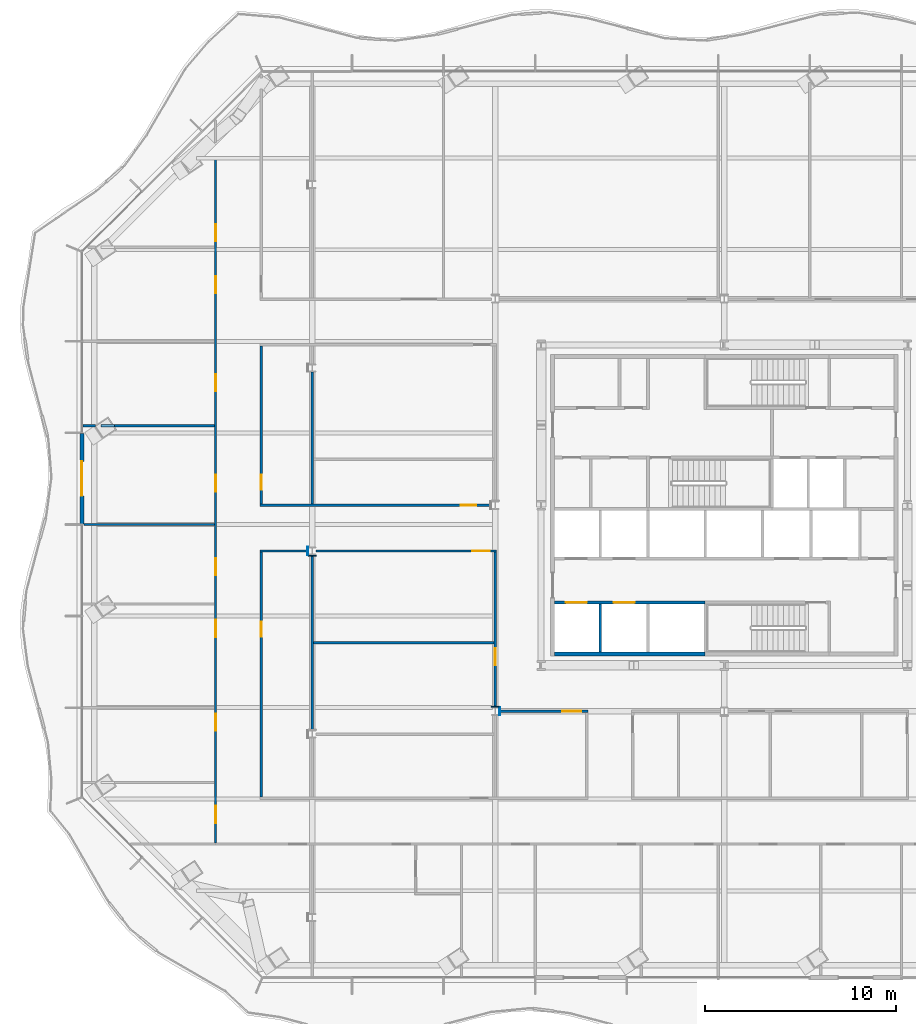
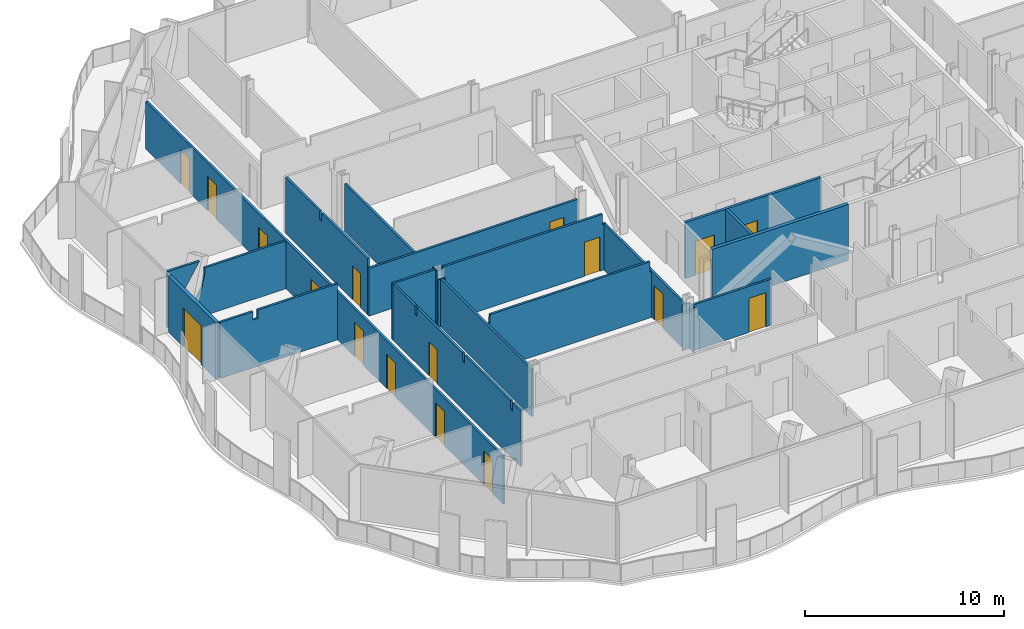
# One storey, part 7 of 19: 22 walls, 17 doors, 17 openings.
"""IFC4 building model written with IfcOpenShell, lengths in metres."""

from ifc_helpers import new_model, si_unit, direction, frame, frame_2d, origin, place, context, subcontext, project, spatial, polyline, rectangle, outline, extrude, material, layer, layer_set, type_object, element, fill, save


model = new_model("IFC4")

# Units and contexts
model_context = context("Model", 3, precision=1e-05, world=origin(), true_north=direction((0.0, 1.0)))
body_context = subcontext(model_context, "Body", "Model", "MODEL_VIEW")
ifc_project = project(units=[si_unit("LENGTHUNIT", "METRE"), si_unit("AREAUNIT", "SQUARE_METRE"), si_unit("VOLUMEUNIT", "CUBIC_METRE"), si_unit("PLANEANGLEUNIT", "RADIAN"), si_unit("MASSUNIT", "GRAM", prefix="KILO")], contexts=[model_context])

# Site, building, storey
site_placement = place(None, origin())
site = spatial("IfcSite", under=ifc_project, at=site_placement, CompositionType="ELEMENT")
building_placement = place(site_placement, origin())
building = spatial("IfcBuilding", under=site, at=building_placement, Name="Cairn Pilgrim Tower", CompositionType="ELEMENT")
storey_placement = place(building_placement, frame((0.0, 0.0, 97.800048828125)))
storey = spatial("IfcBuildingStorey", under=building, at=storey_placement, Name="L23", CompositionType="ELEMENT", Elevation=97.800048828125)

# Wall, opening, door
ifc_material_1 = material(Name="Bronze anodised aluminium insulated sandwich panel with mineral wool fill", Category="aluminium")
ifc_layer_1 = layer(ifc_material_1, 0.199951171875)
ifc_layer_set_1 = layer_set([ifc_layer_1], Name="BRONZE INFILL FRAME WALL 200")
wall_type_1 = type_object("IfcWallType", Name="BRONZE INFILL FRAME WALL 200", PredefinedType="NOTDEFINED", material=ifc_layer_set_1)
wall_1_placement = place(storey_placement, frame((-26.462890625, 6.161376953125, 0.0), z_axis=(0.0, 0.0, 1.0), x_axis=(0.0, -1.0, 0.0)))
wall_1 = element("IfcWall", 1, at=wall_1_placement, inside=storey, type_object=wall_type_1, Name="Bronze infill frame wall IW-W3", PredefinedType="NOTDEFINED", context=body_context, shape_type="SweptSolid", body=[
    extrude(rectangle(XDim=4.739990234375, YDim=0.199951171875, at=frame_2d((2.3701171875, 0.0))), origin(), (0.0, 0.0, 1.0), 3.449951171875),
])
opening_1_placement = place(wall_1_placement, frame((1.470458984375, 0.0, 0.0)))
opening_1 = element("IfcOpeningElement", 2, at=opening_1_placement, cuts=wall_1, Name="Opening 2313B", PredefinedType="OPENING", context=body_context, shape_type="SweptSolid", body=[
    extrude(rectangle(XDim=1.800048828125, YDim=2.39990234375, at=frame_2d((0.89990234375, 1.199951171875))), frame((0.0, 0.10986328125, 0.0), z_axis=(0.0, -1.0, 0.0), x_axis=(1.0, 0.0, 0.0)), (0.0, 0.0, 1.0), 0.219970703125),
])
ifc_material_2 = material(Name="Bronze anodised aluminium frame with tinted low-E glass", Category="aluminium")
door_type_1 = type_object("IfcDoorType", Name="BALCONY SLIDING DOOR 1800x2400", OperationType="DOUBLE_DOOR_SLIDING", PredefinedType="DOOR", material=ifc_material_2)
door_1_placement = place(opening_1_placement, origin())
door_1 = element("IfcDoor", 3, at=door_1_placement, inside=storey, type_object=door_type_1, Name="Balcony sliding door 2313B", OperationType="SINGLE_SWING_LEFT", OverallHeight=2.39990234375, OverallWidth=1.800048828125, PredefinedType="DOOR", context=body_context, shape_type="SweptSolid", body=[
    extrude(rectangle(XDim=1.800048828125, YDim=2.39990234375, at=frame_2d((0.89990234375, 1.199951171875))), frame((0.0, 0.02490234375, 0.0), z_axis=(0.0, -1.0, 0.0), x_axis=(1.0, 0.0, 0.0)), (0.0, 0.0, 1.0), 0.050048828125),
])
fill(opening_1, door_1)

# Wall
ifc_material_3 = material(Name="Concrete C32/40", Category="concrete")
ifc_layer_2 = layer(ifc_material_3, 0.199951171875)
ifc_layer_set_2 = layer_set([ifc_layer_2], Name="CORE OUTER WALL 200 EI 120")
wall_type_2 = type_object("IfcWallType", Name="CORE OUTER WALL 200 EI 120", PredefinedType="SOLIDWALL", material=ifc_layer_set_2)
wall_2_placement = place(storey_placement, frame((-1.699951171875, -5.39990234375, 0.0), z_axis=(0.0, 0.0, 1.0), x_axis=(1.0, 0.0, 0.0)))
element("IfcWall", 4, at=wall_2_placement, inside=storey, type_object=wall_type_2, Name="CW:L23:H01-1", PredefinedType="SOLIDWALL", context=body_context, shape_type="SweptSolid", body=[
    extrude(rectangle(XDim=7.89990234375, YDim=0.199951171875, at=frame_2d((3.949951171875, 0.0))), origin(), (0.0, 0.0, 1.0), 3.449951171875),
])

# Wall, openings, doors
ifc_layer_3 = layer(ifc_material_3, 0.14990234375)
ifc_layer_set_3 = layer_set([ifc_layer_3], Name="CORE SHAFT WALL 150 EI 120")
wall_type_3 = type_object("IfcWallType", Name="CORE SHAFT WALL 150 EI 120", PredefinedType="SOLIDWALL", material=ifc_layer_set_3)
wall_3_placement = place(storey_placement, frame((-1.699951171875, -2.699951171875, 0.0), z_axis=(0.0, 0.0, 1.0), x_axis=(1.0, 0.0, 0.0)))
wall_3 = element("IfcWall", 5, at=wall_3_placement, inside=storey, type_object=wall_type_3, Name="CW:L23:H02-1", PredefinedType="SOLIDWALL", context=body_context, shape_type="SweptSolid", body=[
    extrude(rectangle(XDim=7.89990234375, YDim=0.14990234375, at=frame_2d((3.949951171875, 0.0))), origin(), (0.0, 0.0, 1.0), 3.449951171875),
])
opening_2_placement = place(wall_3_placement, frame((0.60009765625, 0.0, 0.0)))
opening_2 = element("IfcOpeningElement", 6, at=opening_2_placement, cuts=wall_3, Name="Opening LD-LR1", PredefinedType="OPENING", context=body_context, shape_type="SweptSolid", body=[
    extrude(rectangle(XDim=1.10009765625, YDim=2.10009765625, at=frame_2d((0.550048828125, 1.050048828125))), frame((0.0, 0.0849609375, 0.0), z_axis=(0.0, -1.0, 0.0), x_axis=(1.0, 0.0, 0.0)), (0.0, 0.0, 1.0), 0.169921875),
])
opening_3_placement = place(wall_3_placement, frame((3.10009765625, 0.0, 0.0)))
opening_3 = element("IfcOpeningElement", 7, at=opening_3_placement, cuts=wall_3, Name="Opening LD-LR2", PredefinedType="OPENING", context=body_context, shape_type="SweptSolid", body=[
    extrude(rectangle(XDim=1.10009765625, YDim=2.10009765625, at=frame_2d((0.550048828125, 1.050048828125))), frame((0.0, 0.0849609375, 0.0), z_axis=(0.0, -1.0, 0.0), x_axis=(1.0, 0.0, 0.0)), (0.0, 0.0, 1.0), 0.169921875),
])
ifc_material_4 = material(Name="Stainless steel", Category="steel")
door_type_2 = type_object("IfcDoorType", Name="LIFT LANDING DOOR 1100x2100", OperationType="DOUBLE_DOOR_SLIDING", PredefinedType="DOOR", material=ifc_material_4)
door_2_placement = place(opening_2_placement, origin())
door_2 = element("IfcDoor", 8, at=door_2_placement, inside=storey, type_object=door_type_2, Name="LANDING DOOR LR1", OperationType="DOUBLE_DOOR_SLIDING", OverallHeight=2.10009765625, OverallWidth=1.10009765625, PredefinedType="DOOR", context=body_context, shape_type="SweptSolid", body=[
    extrude(rectangle(XDim=1.10009765625, YDim=2.10009765625, at=frame_2d((0.550048828125, 1.050048828125))), frame((0.0, 0.02490234375, 0.0), z_axis=(0.0, -1.0, 0.0), x_axis=(1.0, 0.0, 0.0)), (0.0, 0.0, 1.0), 0.050048828125),
])
fill(opening_2, door_2)
door_3_placement = place(opening_3_placement, origin())
door_3 = element("IfcDoor", 9, at=door_3_placement, inside=storey, type_object=door_type_2, Name="LANDING DOOR LR2", OperationType="DOUBLE_DOOR_SLIDING", OverallHeight=2.10009765625, OverallWidth=1.10009765625, PredefinedType="DOOR", context=body_context, shape_type="SweptSolid", body=[
    extrude(rectangle(XDim=1.10009765625, YDim=2.10009765625, at=frame_2d((0.550048828125, 1.050048828125))), frame((0.0, 0.02490234375, 0.0), z_axis=(0.0, -1.0, 0.0), x_axis=(1.0, 0.0, 0.0)), (0.0, 0.0, 1.0), 0.050048828125),
])
fill(opening_3, door_3)

# Wall
wall_4_placement = place(storey_placement, frame((0.699951171875, -5.300048828125, 0.0), z_axis=(0.0, 0.0, 1.0), x_axis=(0.0, 1.0, 0.0)))
element("IfcWall", 10, at=wall_4_placement, inside=storey, type_object=wall_type_3, Name="CW:L23:V14", PredefinedType="SOLIDWALL", context=body_context, shape_type="SweptSolid", body=[
    extrude(rectangle(XDim=2.525146484375, YDim=0.14990234375, at=frame_2d((1.2626953125, 0.0))), origin(), (0.0, 0.0, 1.0), 3.449951171875),
])

# Wall, openings, doors
ifc_material_5 = material(Name="Gypsum partition")
ifc_layer_4 = layer(ifc_material_5, 0.125)
ifc_layer_set_4 = layer_set([ifc_layer_4], Name="PARTITION 125 DRYWALL EI 60")
wall_type_4 = type_object("IfcWallType", Name="PARTITION 125 DRYWALL EI 60", PredefinedType="PARTITIONING", material=ifc_layer_set_4)
wall_5_placement = place(storey_placement, frame((-19.462890625, -15.29638671875, 0.0), z_axis=(0.0, 0.0, 1.0), x_axis=(0.0, 1.0, 0.0)))
wall_5 = element("IfcWall", 11, at=wall_5_placement, inside=storey, type_object=wall_type_4, Name="PARTITION W018", PredefinedType="PARTITIONING", context=body_context, shape_type="SweptSolid", body=[
    extrude(outline(polyline([(0.0, 0.0), (35.93798828125, 0.0), (35.93798828125, 0.862548828125), (35.93798828125, 1.724853515625), (35.93798828125, 2.58740234375), (35.93798828125, 2.929931640625), (0.0, 2.929931640625), (0.0, 2.58740234375), (0.0, 1.724853515625), (0.0, 0.862548828125), (0.0, 0.0)])), frame((0.0, 0.0625, 0.0), z_axis=(0.0, -1.0, 0.0), x_axis=(1.0, 0.0, 0.0)), (0.0, 0.0, 1.0), 0.125),
])
opening_4_placement = place(wall_5_placement, frame((1.03759765625, 0.0, 0.0)))
opening_4 = element("IfcOpeningElement", 12, at=opening_4_placement, cuts=wall_5, Name="Opening 2309", PredefinedType="OPENING", context=body_context, shape_type="SweptSolid", body=[
    extrude(rectangle(XDim=0.89990234375, YDim=2.10009765625, at=frame_2d((0.449951171875, 1.050048828125))), frame((0.0, 0.072509765625, 0.0), z_axis=(0.0, -1.0, 0.0), x_axis=(1.0, 0.0, 0.0)), (0.0, 0.0, 1.0), 0.14501953125),
])
opening_5_placement = place(wall_5_placement, frame((5.864501953125, 0.0, 0.0)))
opening_5 = element("IfcOpeningElement", 13, at=opening_5_placement, cuts=wall_5, Name="Opening 2310", PredefinedType="OPENING", context=body_context, shape_type="SweptSolid", body=[
    extrude(rectangle(XDim=0.89990234375, YDim=2.10009765625, at=frame_2d((0.449951171875, 1.050048828125))), frame((0.0, 0.072509765625, 0.0), z_axis=(0.0, -1.0, 0.0), x_axis=(1.0, 0.0, 0.0)), (0.0, 0.0, 1.0), 0.14501953125),
])
opening_6_placement = place(wall_5_placement, frame((10.78759765625, 0.0, 0.0)))
opening_6 = element("IfcOpeningElement", 14, at=opening_6_placement, cuts=wall_5, Name="Opening 2311", PredefinedType="OPENING", context=body_context, shape_type="SweptSolid", body=[
    extrude(rectangle(XDim=0.89990234375, YDim=2.10009765625, at=frame_2d((0.449951171875, 1.050048828125))), frame((0.0, 0.072509765625, 0.0), z_axis=(0.0, -1.0, 0.0), x_axis=(1.0, 0.0, 0.0)), (0.0, 0.0, 1.0), 0.14501953125),
])
opening_7_placement = place(wall_5_placement, frame((14.0166015625, 0.0, 0.0)))
opening_7 = element("IfcOpeningElement", 15, at=opening_7_placement, cuts=wall_5, Name="Opening 2312", PredefinedType="OPENING", context=body_context, shape_type="SweptSolid", body=[
    extrude(rectangle(XDim=0.89990234375, YDim=2.10009765625, at=frame_2d((0.449951171875, 1.050048828125))), frame((0.0, 0.072509765625, 0.0), z_axis=(0.0, -1.0, 0.0), x_axis=(1.0, 0.0, 0.0)), (0.0, 0.0, 1.0), 0.14501953125),
])
opening_8_placement = place(wall_5_placement, frame((18.396484375, 0.0, 0.0)))
opening_8 = element("IfcOpeningElement", 16, at=opening_8_placement, cuts=wall_5, Name="Opening 2313", PredefinedType="OPENING", context=body_context, shape_type="SweptSolid", body=[
    extrude(rectangle(XDim=0.89990234375, YDim=2.10009765625, at=frame_2d((0.449951171875, 1.050048828125))), frame((0.0, 0.072509765625, 0.0), z_axis=(0.0, -1.0, 0.0), x_axis=(1.0, 0.0, 0.0)), (0.0, 0.0, 1.0), 0.14501953125),
])
opening_9_placement = place(wall_5_placement, frame((23.66748046875, 0.0, 0.0)))
opening_9 = element("IfcOpeningElement", 17, at=opening_9_placement, cuts=wall_5, Name="Opening 2314", PredefinedType="OPENING", context=body_context, shape_type="SweptSolid", body=[
    extrude(rectangle(XDim=0.89990234375, YDim=2.10009765625, at=frame_2d((0.449951171875, 1.050048828125))), frame((0.0, 0.072509765625, 0.0), z_axis=(0.0, -1.0, 0.0), x_axis=(1.0, 0.0, 0.0)), (0.0, 0.0, 1.0), 0.14501953125),
])
opening_10_placement = place(wall_5_placement, frame((28.79638671875, 0.0, 0.0)))
opening_10 = element("IfcOpeningElement", 18, at=opening_10_placement, cuts=wall_5, Name="Opening 2315", PredefinedType="OPENING", context=body_context, shape_type="SweptSolid", body=[
    extrude(rectangle(XDim=0.89990234375, YDim=2.10009765625, at=frame_2d((0.449951171875, 1.050048828125))), frame((0.0, 0.072509765625, 0.0), z_axis=(0.0, -1.0, 0.0), x_axis=(1.0, 0.0, 0.0)), (0.0, 0.0, 1.0), 0.14501953125),
])
opening_11_placement = place(wall_5_placement, frame((31.51953125, 0.0, 0.0)))
opening_11 = element("IfcOpeningElement", 19, at=opening_11_placement, cuts=wall_5, Name="Opening 2316", PredefinedType="OPENING", context=body_context, shape_type="SweptSolid", body=[
    extrude(rectangle(XDim=0.89990234375, YDim=2.10009765625, at=frame_2d((0.449951171875, 1.050048828125))), frame((0.0, 0.072509765625, 0.0), z_axis=(0.0, -1.0, 0.0), x_axis=(1.0, 0.0, 0.0)), (0.0, 0.0, 1.0), 0.14501953125),
])
ifc_material_6 = material(Name="Steel-faced fire door leaf", Category="steel")
door_type_3 = type_object("IfcDoorType", Name="FIRE DOOR 900x2100 FD30S", OperationType="NOTDEFINED", PredefinedType="DOOR", material=ifc_material_6)
door_4_placement = place(opening_4_placement, origin())
door_4 = element("IfcDoor", 20, at=door_4_placement, inside=storey, type_object=door_type_3, Name="DOOR 2309", OperationType="SINGLE_SWING_LEFT", OverallHeight=2.10009765625, OverallWidth=0.89990234375, PredefinedType="DOOR", context=body_context, shape_type="SweptSolid", body=[
    extrude(rectangle(XDim=0.89990234375, YDim=2.10009765625, at=frame_2d((0.449951171875, 1.050048828125))), frame((0.0, 0.02490234375, 0.0), z_axis=(0.0, -1.0, 0.0), x_axis=(1.0, 0.0, 0.0)), (0.0, 0.0, 1.0), 0.050048828125),
])
fill(opening_4, door_4)
door_5_placement = place(opening_5_placement, origin())
door_5 = element("IfcDoor", 21, at=door_5_placement, inside=storey, type_object=door_type_3, Name="DOOR 2310", OperationType="SINGLE_SWING_RIGHT", OverallHeight=2.10009765625, OverallWidth=0.89990234375, PredefinedType="DOOR", context=body_context, shape_type="SweptSolid", body=[
    extrude(rectangle(XDim=0.89990234375, YDim=2.10009765625, at=frame_2d((0.449951171875, 1.050048828125))), frame((0.0, 0.02490234375, 0.0), z_axis=(0.0, -1.0, 0.0), x_axis=(1.0, 0.0, 0.0)), (0.0, 0.0, 1.0), 0.050048828125),
])
fill(opening_5, door_5)
door_6_placement = place(opening_6_placement, origin())
door_6 = element("IfcDoor", 22, at=door_6_placement, inside=storey, type_object=door_type_3, Name="DOOR 2311", OperationType="SINGLE_SWING_LEFT", OverallHeight=2.10009765625, OverallWidth=0.89990234375, PredefinedType="DOOR", context=body_context, shape_type="SweptSolid", body=[
    extrude(rectangle(XDim=0.89990234375, YDim=2.10009765625, at=frame_2d((0.449951171875, 1.050048828125))), frame((0.0, 0.02490234375, 0.0), z_axis=(0.0, -1.0, 0.0), x_axis=(1.0, 0.0, 0.0)), (0.0, 0.0, 1.0), 0.050048828125),
])
fill(opening_6, door_6)
door_7_placement = place(opening_7_placement, origin())
door_7 = element("IfcDoor", 23, at=door_7_placement, inside=storey, type_object=door_type_3, Name="DOOR 2312", OperationType="SINGLE_SWING_RIGHT", OverallHeight=2.10009765625, OverallWidth=0.89990234375, PredefinedType="DOOR", context=body_context, shape_type="SweptSolid", body=[
    extrude(rectangle(XDim=0.89990234375, YDim=2.10009765625, at=frame_2d((0.449951171875, 1.050048828125))), frame((0.0, 0.02490234375, 0.0), z_axis=(0.0, -1.0, 0.0), x_axis=(1.0, 0.0, 0.0)), (0.0, 0.0, 1.0), 0.050048828125),
])
fill(opening_7, door_7)
door_8_placement = place(opening_8_placement, origin())
door_8 = element("IfcDoor", 24, at=door_8_placement, inside=storey, type_object=door_type_3, Name="DOOR 2313", OperationType="SINGLE_SWING_LEFT", OverallHeight=2.10009765625, OverallWidth=0.89990234375, PredefinedType="DOOR", context=body_context, shape_type="SweptSolid", body=[
    extrude(rectangle(XDim=0.89990234375, YDim=2.10009765625, at=frame_2d((0.449951171875, 1.050048828125))), frame((0.0, 0.02490234375, 0.0), z_axis=(0.0, -1.0, 0.0), x_axis=(1.0, 0.0, 0.0)), (0.0, 0.0, 1.0), 0.050048828125),
])
fill(opening_8, door_8)
door_9_placement = place(opening_9_placement, origin())
door_9 = element("IfcDoor", 25, at=door_9_placement, inside=storey, type_object=door_type_3, Name="DOOR 2314", OperationType="SINGLE_SWING_RIGHT", OverallHeight=2.10009765625, OverallWidth=0.89990234375, PredefinedType="DOOR", context=body_context, shape_type="SweptSolid", body=[
    extrude(rectangle(XDim=0.89990234375, YDim=2.10009765625, at=frame_2d((0.449951171875, 1.050048828125))), frame((0.0, 0.02490234375, 0.0), z_axis=(0.0, -1.0, 0.0), x_axis=(1.0, 0.0, 0.0)), (0.0, 0.0, 1.0), 0.050048828125),
])
fill(opening_9, door_9)
door_10_placement = place(opening_10_placement, origin())
door_10 = element("IfcDoor", 26, at=door_10_placement, inside=storey, type_object=door_type_3, Name="DOOR 2315", OperationType="SINGLE_SWING_LEFT", OverallHeight=2.10009765625, OverallWidth=0.89990234375, PredefinedType="DOOR", context=body_context, shape_type="SweptSolid", body=[
    extrude(rectangle(XDim=0.89990234375, YDim=2.10009765625, at=frame_2d((0.449951171875, 1.050048828125))), frame((0.0, 0.02490234375, 0.0), z_axis=(0.0, -1.0, 0.0), x_axis=(1.0, 0.0, 0.0)), (0.0, 0.0, 1.0), 0.050048828125),
])
fill(opening_10, door_10)
door_11_placement = place(opening_11_placement, origin())
door_11 = element("IfcDoor", 27, at=door_11_placement, inside=storey, type_object=door_type_3, Name="DOOR 2316", OperationType="SINGLE_SWING_RIGHT", OverallHeight=2.10009765625, OverallWidth=0.89990234375, PredefinedType="DOOR", context=body_context, shape_type="SweptSolid", body=[
    extrude(rectangle(XDim=0.89990234375, YDim=2.10009765625, at=frame_2d((0.449951171875, 1.050048828125))), frame((0.0, 0.02490234375, 0.0), z_axis=(0.0, -1.0, 0.0), x_axis=(1.0, 0.0, 0.0)), (0.0, 0.0, 1.0), 0.050048828125),
])
fill(opening_11, door_11)

# Wall, opening, door
wall_6_placement = place(storey_placement, frame((-17.06298828125, -12.896484375, 0.0), z_axis=(0.0, 0.0, 1.0), x_axis=(0.0, 1.0, 0.0)))
wall_6 = element("IfcWall", 28, at=wall_6_placement, inside=storey, type_object=wall_type_4, Name="PARTITION W021", PredefinedType="PARTITIONING", context=body_context, shape_type="SweptSolid", body=[
    extrude(outline(polyline([(0.0, 0.0), (12.833984375, 0.0), (12.833984375, 3.449951171875), (10.596435546875, 3.449951171875), (10.594482421875, 2.929931640625), (10.396484375, 2.929931640625), (10.39453125, 3.449951171875), (5.79638671875, 3.449951171875), (5.79443359375, 2.929931640625), (5.596435546875, 2.929931640625), (5.594482421875, 3.449951171875), (0.99658203125, 3.449951171875), (0.994384765625, 2.929931640625), (0.79638671875, 2.929931640625), (0.79443359375, 3.449951171875), (0.0, 3.449951171875), (0.0, 0.0)])), frame((0.0, 0.0625, 0.0), z_axis=(0.0, -1.0, 0.0), x_axis=(1.0, 0.0, 0.0)), (0.0, 0.0, 1.0), 0.125),
])
opening_12_placement = place(wall_6_placement, frame((8.396484375, 0.0, 0.0)))
opening_12 = element("IfcOpeningElement", 29, at=opening_12_placement, cuts=wall_6, Name="Opening 2333", PredefinedType="OPENING", context=body_context, shape_type="SweptSolid", body=[
    extrude(rectangle(XDim=0.800048828125, YDim=2.10009765625, at=frame_2d((0.39990234375, 1.050048828125))), frame((0.0, 0.072509765625, 0.0), z_axis=(0.0, -1.0, 0.0), x_axis=(1.0, 0.0, 0.0)), (0.0, 0.0, 1.0), 0.14501953125),
])
door_type_4 = type_object("IfcDoorType", Name="FIRE DOOR 800x2100 FD30S", OperationType="NOTDEFINED", PredefinedType="DOOR", material=ifc_material_6)
door_12_placement = place(opening_12_placement, frame((0.800048828125, 0.0, 0.0), z_axis=(0.0, 0.0, 1.0), x_axis=(-1.0, 0.0, 0.0)))
door_12 = element("IfcDoor", 30, at=door_12_placement, inside=storey, type_object=door_type_4, Name="DOOR 2333", OperationType="SINGLE_SWING_RIGHT", OverallHeight=2.10009765625, OverallWidth=0.800048828125, PredefinedType="DOOR", context=body_context, shape_type="SweptSolid", body=[
    extrude(rectangle(XDim=0.800048828125, YDim=2.10009765625, at=frame_2d((0.39990234375, 1.050048828125))), frame((0.0, 0.02490234375, 0.0), z_axis=(0.0, -1.0, 0.0), x_axis=(1.0, 0.0, 0.0)), (0.0, 0.0, 1.0), 0.050048828125),
])
fill(opening_12, door_12)

# Wall
wall_7_placement = place(storey_placement, frame((-14.39990234375, -9.387451171875, 0.0), z_axis=(0.0, 0.0, 1.0), x_axis=(0.0, 1.0, 0.0)))
element("IfcWall", 31, at=wall_7_placement, inside=storey, type_object=wall_type_4, Name="PARTITION W033", PredefinedType="PARTITIONING", context=body_context, shape_type="SweptSolid", body=[
    extrude(rectangle(XDim=9.175048828125, YDim=0.125, at=frame_2d((4.58740234375, 0.0))), origin(), (0.0, 0.0, 1.0), 2.929931640625),
])

# Wall, opening, door
wall_8_placement = place(storey_placement, frame((-4.595458984375, -8.39990234375, 0.0), z_axis=(0.0, 0.0, 1.0), x_axis=(1.0, 0.0, 0.0)))
wall_8 = element("IfcWall", 32, at=wall_8_placement, inside=storey, type_object=wall_type_4, Name="PARTITION W034", PredefinedType="PARTITIONING", context=body_context, shape_type="SweptSolid", body=[
    extrude(rectangle(XDim=4.657958984375, YDim=0.125, at=frame_2d((2.3291015625, 0.0))), origin(), (0.0, 0.0, 1.0), 2.829833984375),
])
opening_13_placement = place(wall_8_placement, frame((3.29541015625, 0.0, 0.0)))
opening_13 = element("IfcOpeningElement", 33, at=opening_13_placement, cuts=wall_8, Name="Opening 2335", PredefinedType="OPENING", context=body_context, shape_type="SweptSolid", body=[
    extrude(rectangle(XDim=1.0, YDim=2.10009765625, at=frame_2d((0.5, 1.050048828125))), frame((0.0, 0.072509765625, 0.0), z_axis=(0.0, -1.0, 0.0), x_axis=(1.0, 0.0, 0.0)), (0.0, 0.0, 1.0), 0.14501953125),
])
ifc_material_7 = material(Name="Timber door leaf", Category="wood")
door_type_5 = type_object("IfcDoorType", Name="ACCESSIBLE DOOR 1000x2100 FD30S", OperationType="NOTDEFINED", PredefinedType="DOOR", material=ifc_material_7)
door_13_placement = place(opening_13_placement, frame((1.0, 0.0, 0.0), z_axis=(0.0, 0.0, 1.0), x_axis=(-1.0, 0.0, 0.0)))
door_13 = element("IfcDoor", 34, at=door_13_placement, inside=storey, type_object=door_type_5, Name="DOOR 2335", OperationType="SINGLE_SWING_RIGHT", OverallHeight=2.10009765625, OverallWidth=1.0, PredefinedType="DOOR", context=body_context, shape_type="SweptSolid", body=[
    extrude(rectangle(XDim=1.0, YDim=2.10009765625, at=frame_2d((0.5, 1.050048828125))), frame((0.0, 0.02490234375, 0.0), z_axis=(0.0, -1.0, 0.0), x_axis=(1.0, 0.0, 0.0)), (0.0, 0.0, 1.0), 0.050048828125),
])
fill(opening_13, door_13)

wall_9_placement = place(storey_placement, frame((-4.800048828125, -8.1875, 0.0), z_axis=(0.0, 0.0, 1.0), x_axis=(0.0, 1.0, 0.0)))
wall_9 = element("IfcWall", 35, at=wall_9_placement, inside=storey, type_object=wall_type_4, Name="PARTITION W038", PredefinedType="PARTITIONING", context=body_context, shape_type="SweptSolid", body=[
    extrude(rectangle(XDim=8.125, YDim=0.125, at=frame_2d((4.0625, 0.0))), origin(), (0.0, 0.0, 1.0), 2.829833984375),
])
opening_14_placement = place(wall_9_placement, frame((2.1875, 0.0, 0.0)))
opening_14 = element("IfcOpeningElement", 36, at=opening_14_placement, cuts=wall_9, Name="Opening 2329", PredefinedType="OPENING", context=body_context, shape_type="SweptSolid", body=[
    extrude(rectangle(XDim=0.89990234375, YDim=2.10009765625, at=frame_2d((0.449951171875, 1.050048828125))), frame((0.0, 0.072509765625, 0.0), z_axis=(0.0, -1.0, 0.0), x_axis=(1.0, 0.0, 0.0)), (0.0, 0.0, 1.0), 0.14501953125),
])
door_14_placement = place(opening_14_placement, origin())
door_14 = element("IfcDoor", 37, at=door_14_placement, inside=storey, type_object=door_type_3, Name="DOOR 2329", OperationType="SINGLE_SWING_RIGHT", OverallHeight=2.10009765625, OverallWidth=0.89990234375, PredefinedType="DOOR", context=body_context, shape_type="SweptSolid", body=[
    extrude(rectangle(XDim=0.89990234375, YDim=2.10009765625, at=frame_2d((0.449951171875, 1.050048828125))), frame((0.0, 0.02490234375, 0.0), z_axis=(0.0, -1.0, 0.0), x_axis=(1.0, 0.0, 0.0)), (0.0, 0.0, 1.0), 0.050048828125),
])
fill(opening_14, door_14)

# Walls
wall_10_placement = place(storey_placement, frame((-14.33740234375, -4.800048828125, 0.0), z_axis=(0.0, 0.0, 1.0), x_axis=(1.0, 0.0, 0.0)))
element("IfcWall", 38, at=wall_10_placement, inside=storey, type_object=wall_type_4, Name="PARTITION W043", PredefinedType="PARTITIONING", context=body_context, shape_type="SweptSolid", body=[
    extrude(outline(polyline([(0.0, 0.0), (9.474853515625, 0.0), (9.47509765625, 2.829833984375), (9.387451171875, 2.829833984375), (9.385498046875, 3.449951171875), (0.08740234375, 3.449951171875), (0.08544921875, 2.929931640625), (0.0, 2.929931640625), (0.0, 0.0)])), frame((0.0, 0.0625, 0.0), z_axis=(0.0, -1.0, 0.0), x_axis=(1.0, 0.0, 0.0)), (0.0, 0.0, 1.0), 0.125),
])
wall_11_placement = place(storey_placement, frame((-17.12548828125, 0.0, 0.0), z_axis=(0.0, 0.0, 1.0), x_axis=(1.0, 0.0, 0.0)))
element("IfcWall", 39, at=wall_11_placement, inside=storey, type_object=wall_type_4, Name="PARTITION W049", PredefinedType="PARTITIONING", context=body_context, shape_type="SweptSolid", body=[
    extrude(rectangle(XDim=2.52099609375, YDim=0.125, at=frame_2d((1.260498046875, 0.0))), origin(), (0.0, 0.0, 1.0), 3.449951171875),
])

# Wall, opening, door
wall_12_placement = place(storey_placement, frame((-14.195556640625, 0.0, 0.0), z_axis=(0.0, 0.0, 1.0), x_axis=(1.0, 0.0, 0.0)))
wall_12 = element("IfcWall", 40, at=wall_12_placement, inside=storey, type_object=wall_type_4, Name="PARTITION W050", PredefinedType="PARTITIONING", context=body_context, shape_type="SweptSolid", body=[
    extrude(outline(polyline([(0.0, 0.0), (9.4580078125, 0.0), (9.4580078125, 2.829833984375), (9.24560546875, 2.829833984375), (9.243408203125, 3.449951171875), (0.0, 3.449951171875), (0.0, 0.0)])), frame((0.0, 0.0625, 0.0), z_axis=(0.0, -1.0, 0.0), x_axis=(1.0, 0.0, 0.0)), (0.0, 0.0, 1.0), 0.125),
])
opening_15_placement = place(wall_12_placement, frame((8.195556640625, 0.0, 0.0)))
opening_15 = element("IfcOpeningElement", 41, at=opening_15_placement, cuts=wall_12, Name="Opening 2330", PredefinedType="OPENING", context=body_context, shape_type="SweptSolid", body=[
    extrude(rectangle(XDim=0.89990234375, YDim=2.10009765625, at=frame_2d((0.449951171875, 1.050048828125))), frame((0.0, 0.072509765625, 0.0), z_axis=(0.0, -1.0, 0.0), x_axis=(1.0, 0.0, 0.0)), (0.0, 0.0, 1.0), 0.14501953125),
])
door_15_placement = place(opening_15_placement, frame((0.89990234375, 0.0, 0.0), z_axis=(0.0, 0.0, 1.0), x_axis=(-1.0, 0.0, 0.0)))
door_15 = element("IfcDoor", 42, at=door_15_placement, inside=storey, type_object=door_type_3, Name="DOOR 2330", OperationType="SINGLE_SWING_LEFT", OverallHeight=2.10009765625, OverallWidth=0.89990234375, PredefinedType="DOOR", context=body_context, shape_type="SweptSolid", body=[
    extrude(rectangle(XDim=0.89990234375, YDim=2.10009765625, at=frame_2d((0.449951171875, 1.050048828125))), frame((0.0, 0.02490234375, 0.0), z_axis=(0.0, -1.0, 0.0), x_axis=(1.0, 0.0, 0.0)), (0.0, 0.0, 1.0), 0.050048828125),
])
fill(opening_15, door_15)

# Wall
wall_13_placement = place(storey_placement, frame((-26.36279296875, 1.39111328125, 0.0), z_axis=(0.0, 0.0, 1.0), x_axis=(1.0, 0.0, 0.0)))
element("IfcWall", 43, at=wall_13_placement, inside=storey, type_object=wall_type_4, Name="PARTITION W051", PredefinedType="PARTITIONING", context=body_context, shape_type="SweptSolid", body=[
    extrude(outline(polyline([(0.0, 0.0), (6.83740234375, 0.0), (6.83740234375, 3.449951171875), (2.212890625, 3.449951171875), (2.2109375, 2.929931640625), (1.912841796875, 2.929931640625), (1.910888671875, 3.449951171875), (0.0, 3.449951171875), (0.0, 0.0)])), frame((0.0, 0.0625, 0.0), z_axis=(0.0, -1.0, 0.0), x_axis=(1.0, 0.0, 0.0)), (0.0, 0.0, 1.0), 0.125),
])

# Wall, opening, door
wall_14_placement = place(storey_placement, frame((-17.12548828125, 2.39990234375, 0.0), z_axis=(0.0, 0.0, 1.0), x_axis=(1.0, 0.0, 0.0)))
wall_14 = element("IfcWall", 44, at=wall_14_placement, inside=storey, type_object=wall_type_4, Name="PARTITION W054", PredefinedType="PARTITIONING", context=body_context, shape_type="SweptSolid", body=[
    extrude(rectangle(XDim=12.12109375, YDim=0.125, at=frame_2d((6.060546875, 0.0))), origin(), (0.0, 0.0, 1.0), 2.929931640625),
])
opening_16_placement = place(wall_14_placement, frame((10.525390625, 0.0, 0.0)))
opening_16 = element("IfcOpeningElement", 45, at=opening_16_placement, cuts=wall_14, Name="Opening 2331", PredefinedType="OPENING", context=body_context, shape_type="SweptSolid", body=[
    extrude(rectangle(XDim=0.800048828125, YDim=2.10009765625, at=frame_2d((0.39990234375, 1.050048828125))), frame((0.0, 0.072509765625, 0.0), z_axis=(0.0, -1.0, 0.0), x_axis=(1.0, 0.0, 0.0)), (0.0, 0.0, 1.0), 0.14501953125),
])
door_16_placement = place(opening_16_placement, origin())
door_16 = element("IfcDoor", 46, at=door_16_placement, inside=storey, type_object=door_type_4, Name="DOOR 2331", OperationType="SINGLE_SWING_RIGHT", OverallHeight=2.10009765625, OverallWidth=0.800048828125, PredefinedType="DOOR", context=body_context, shape_type="SweptSolid", body=[
    extrude(rectangle(XDim=0.800048828125, YDim=2.10009765625, at=frame_2d((0.39990234375, 1.050048828125))), frame((0.0, 0.02490234375, 0.0), z_axis=(0.0, -1.0, 0.0), x_axis=(1.0, 0.0, 0.0)), (0.0, 0.0, 1.0), 0.050048828125),
])
fill(opening_16, door_16)

wall_15_placement = place(storey_placement, frame((-17.06298828125, 2.46240234375, 0.0), z_axis=(0.0, 0.0, 1.0), x_axis=(0.0, 1.0, 0.0)))
wall_15 = element("IfcWall", 47, at=wall_15_placement, inside=storey, type_object=wall_type_4, Name="PARTITION W055", PredefinedType="PARTITIONING", context=body_context, shape_type="SweptSolid", body=[
    extrude(outline(polyline([(0.0, 0.0), (8.275146484375, 0.0), (8.27490234375, 3.449951171875), (4.83740234375, 3.449951171875), (4.83544921875, 2.929931640625), (4.637451171875, 2.929931640625), (4.635498046875, 3.449951171875), (0.03759765625, 3.449951171875), (0.035400390625, 2.929931640625), (0.0, 2.929931640625), (0.0, 0.0)])), frame((0.0, 0.0625, 0.0), z_axis=(0.0, -1.0, 0.0), x_axis=(1.0, 0.0, 0.0)), (0.0, 0.0, 1.0), 0.125),
])
opening_17_placement = place(wall_15_placement, frame((0.737548828125, 0.0, 0.0)))
opening_17 = element("IfcOpeningElement", 48, at=opening_17_placement, cuts=wall_15, Name="Opening 2334", PredefinedType="OPENING", context=body_context, shape_type="SweptSolid", body=[
    extrude(rectangle(XDim=0.800048828125, YDim=2.10009765625, at=frame_2d((0.39990234375, 1.050048828125))), frame((0.0, 0.072509765625, 0.0), z_axis=(0.0, -1.0, 0.0), x_axis=(1.0, 0.0, 0.0)), (0.0, 0.0, 1.0), 0.14501953125),
])
door_17_placement = place(opening_17_placement, frame((0.800048828125, 0.0, 0.0), z_axis=(0.0, 0.0, 1.0), x_axis=(-1.0, 0.0, 0.0)))
door_17 = element("IfcDoor", 49, at=door_17_placement, inside=storey, type_object=door_type_4, Name="DOOR 2334", OperationType="SINGLE_SWING_LEFT", OverallHeight=2.10009765625, OverallWidth=0.800048828125, PredefinedType="DOOR", context=body_context, shape_type="SweptSolid", body=[
    extrude(rectangle(XDim=0.800048828125, YDim=2.10009765625, at=frame_2d((0.39990234375, 1.050048828125))), frame((0.0, 0.02490234375, 0.0), z_axis=(0.0, -1.0, 0.0), x_axis=(1.0, 0.0, 0.0)), (0.0, 0.0, 1.0), 0.050048828125),
])
fill(opening_17, door_17)

# Walls
wall_16_placement = place(storey_placement, frame((-14.39990234375, 2.46240234375, 0.0), z_axis=(0.0, 0.0, 1.0), x_axis=(0.0, 1.0, 0.0)))
element("IfcWall", 50, at=wall_16_placement, inside=storey, type_object=wall_type_4, Name="PARTITION W056", PredefinedType="PARTITIONING", context=body_context, shape_type="SweptSolid", body=[
    extrude(rectangle(XDim=6.925048828125, YDim=0.125, at=frame_2d((3.46240234375, 0.0))), origin(), (0.0, 0.0, 1.0), 2.929931640625),
])
wall_17_placement = place(storey_placement, frame((-26.416015625, 6.571044921875, 0.0), z_axis=(0.0, 0.0, 1.0), x_axis=(1.0, 0.0, 0.0)))
element("IfcWall", 51, at=wall_17_placement, inside=storey, type_object=wall_type_4, Name="PARTITION W062", PredefinedType="PARTITIONING", context=body_context, shape_type="SweptSolid", body=[
    extrude(outline(polyline([(0.0, 0.0), (0.544189453125, 0.0), (0.544189453125, 0.862548828125), (0.8251953125, 1.724853515625), (1.3486328125, 2.58740234375), (1.872314453125, 3.449951171875), (0.0, 3.449951171875), (0.0, 2.58740234375), (0.0, 1.724853515625), (0.0, 0.862548828125), (0.0, 0.0)])), frame((0.0, 0.0625, 0.0), z_axis=(0.0, -1.0, 0.0), x_axis=(1.0, 0.0, 0.0)), (0.0, 0.0, 1.0), 0.125),
])
wall_18_placement = place(storey_placement, frame((-25.4775390625, 6.571044921875, 0.0), z_axis=(0.0, 0.0, 1.0), x_axis=(1.0, 0.0, 0.0)))
element("IfcWall", 52, at=wall_18_placement, inside=storey, type_object=wall_type_4, Name="PARTITION W063", PredefinedType="PARTITIONING", context=body_context, shape_type="SweptSolid", body=[
    extrude(outline(polyline([(0.0, 0.0), (5.951904296875, 0.0), (5.951904296875, 0.862548828125), (5.951904296875, 1.724853515625), (5.951904296875, 2.58740234375), (5.951904296875, 2.929931640625), (1.2353515625, 2.929931640625), (1.2353515625, 2.58740234375), (1.047119140625, 1.724853515625), (0.523681640625, 0.862548828125), (0.0, 0.0)])), frame((0.0, 0.0625, 0.0), z_axis=(0.0, -1.0, 0.0), x_axis=(1.0, 0.0, 0.0)), (0.0, 0.0, 1.0), 0.125),
])
ifc_layer_5 = layer(ifc_material_5, 0.050048828125)
ifc_layer_set_5 = layer_set([ifc_layer_5], Name="PARTITION 50 DRYWALL EI 60")
wall_type_5 = type_object("IfcWallType", Name="PARTITION 50 DRYWALL EI 60", PredefinedType="PARTITIONING", material=ifc_layer_set_5)
wall_19_placement = place(storey_placement, frame((-14.62939453125, -0.21240234375, 0.0), z_axis=(0.0, 0.0, 1.0), x_axis=(0.0, 1.0, 0.0)))
element("IfcWall", 53, at=wall_19_placement, inside=storey, type_object=wall_type_5, Name="COLUMN CASING WC06", PredefinedType="PARTITIONING", context=body_context, shape_type="SweptSolid", body=[
    extrude(rectangle(XDim=0.4248046875, YDim=0.050048828125, at=frame_2d((0.21240234375, 0.0))), origin(), (0.0, 0.0, 1.0), 3.449951171875),
])
wall_20_placement = place(storey_placement, frame((-4.570556640625, -8.612548828125, 0.0), z_axis=(0.0, 0.0, 1.0), x_axis=(0.0, 1.0, 0.0)))
element("IfcWall", 54, at=wall_20_placement, inside=storey, type_object=wall_type_5, Name="COLUMN CASING WC07", PredefinedType="PARTITIONING", context=body_context, shape_type="SweptSolid", body=[
    extrude(rectangle(XDim=0.425048828125, YDim=0.050048828125, at=frame_2d((0.21240234375, 0.0))), origin(), (0.0, 0.0, 1.0), 2.829833984375),
])
wall_21_placement = place(storey_placement, frame((-5.00439453125, -8.16259765625, 0.0), z_axis=(0.0, 0.0, 1.0), x_axis=(1.0, 0.0, 0.0)))
element("IfcWall", 55, at=wall_21_placement, inside=storey, type_object=wall_type_5, Name="COLUMN CASING WC09", PredefinedType="PARTITIONING", context=body_context, shape_type="SweptSolid", body=[
    extrude(rectangle(XDim=0.408935546875, YDim=0.050048828125, at=frame_2d((0.20458984375, 0.0))), origin(), (0.0, 0.0, 1.0), 2.829833984375),
])
wall_22_placement = place(storey_placement, frame((-14.6044921875, -0.237548828125, 0.0), z_axis=(0.0, 0.0, 1.0), x_axis=(1.0, 0.0, 0.0)))
element("IfcWall", 56, at=wall_22_placement, inside=storey, type_object=wall_type_5, Name="COLUMN CASING WC12", PredefinedType="PARTITIONING", context=body_context, shape_type="SweptSolid", body=[
    extrude(rectangle(XDim=0.408935546875, YDim=0.050048828125, at=frame_2d((0.20458984375, 0.0))), origin(), (0.0, 0.0, 1.0), 2.929931640625),
])

save(model, "model.ifc")
